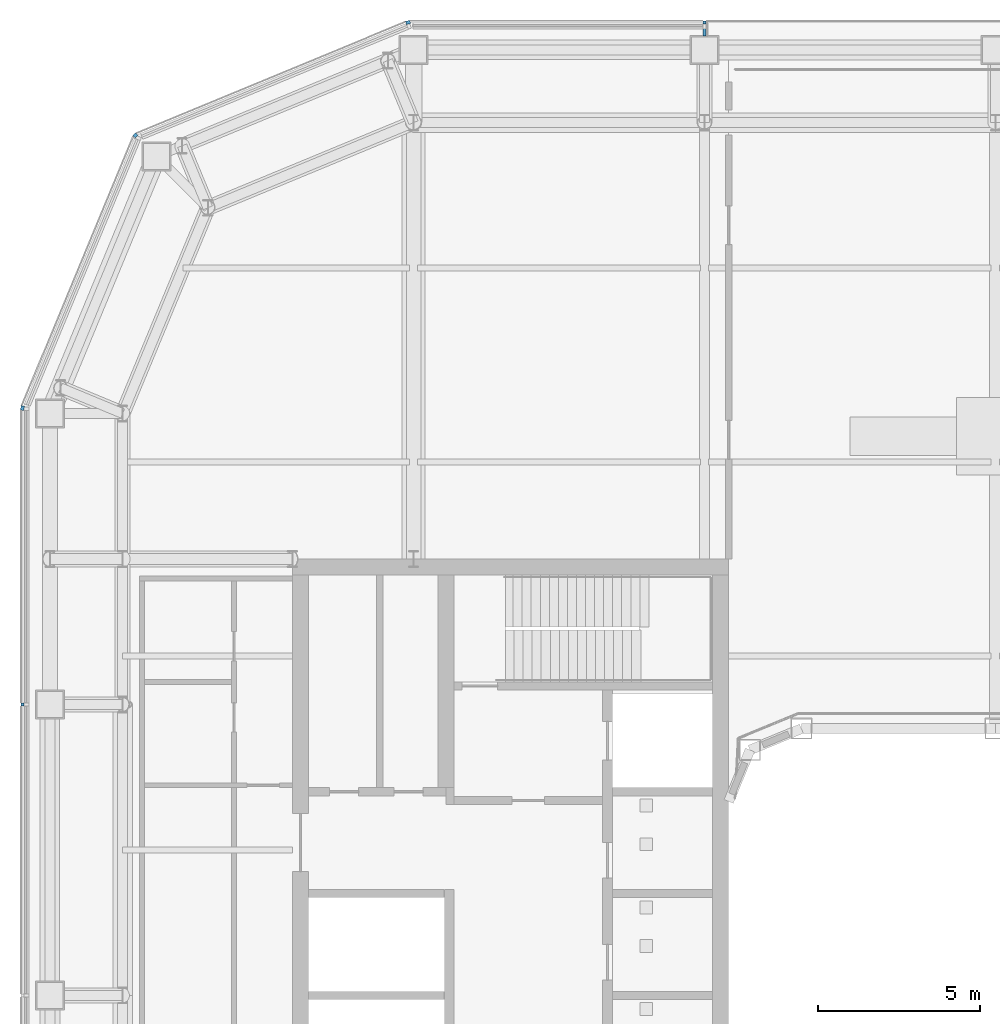
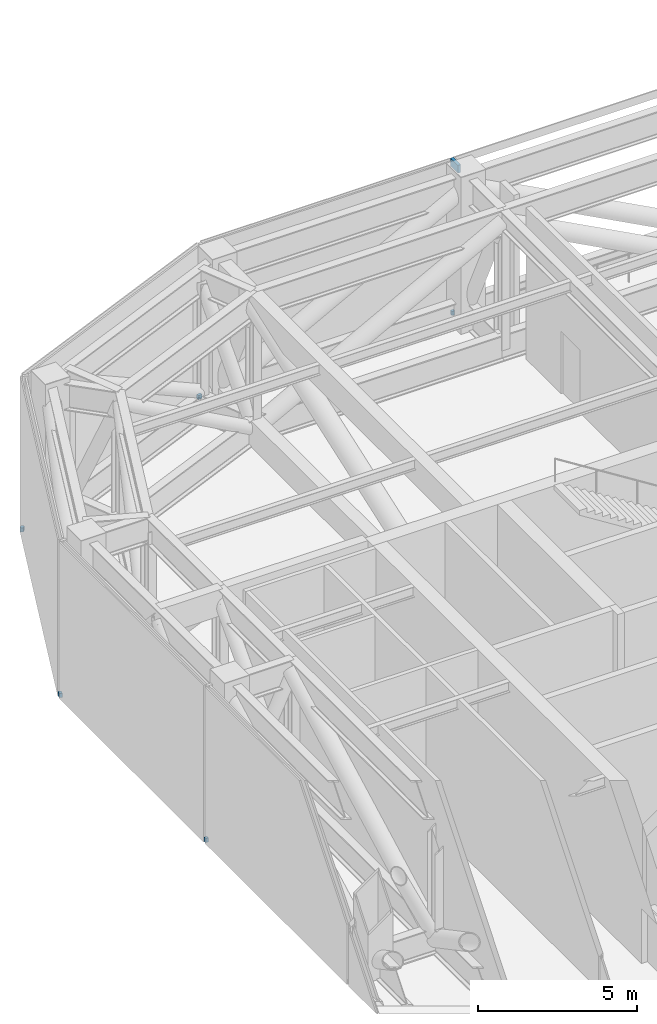
# One storey, part 17 of 22: 6 discrete accessories.
"""IFC4 building model written with IfcOpenShell, lengths in metres."""

from ifc_helpers import new_model, si_unit, direction, frame, origin, origin_2d, place, context, subcontext, project, spatial, rectangle, extrude, material, type_object, element, save


model = new_model("IFC4")

# Units and contexts
model_context = context("Model", 3, precision=1e-05, world=origin(), true_north=direction((0.0, 1.0)))
body_context = subcontext(model_context, "Body", "Model", "MODEL_VIEW")
ifc_project = project(units=[si_unit("LENGTHUNIT", "METRE"), si_unit("AREAUNIT", "SQUARE_METRE"), si_unit("VOLUMEUNIT", "CUBIC_METRE"), si_unit("PLANEANGLEUNIT", "RADIAN"), si_unit("MASSUNIT", "GRAM", prefix="KILO")], contexts=[model_context])

# Site, building, storey
site_placement = place(None, origin())
site = spatial("IfcSite", under=ifc_project, at=site_placement, CompositionType="ELEMENT")
building_placement = place(site_placement, origin())
building = spatial("IfcBuilding", under=site, at=building_placement, Name="Siwar Civic Tower", CompositionType="ELEMENT")
storey_placement = place(building_placement, frame((0.0, 0.0, 181.199951171875)))
storey = spatial("IfcBuildingStorey", under=building, at=storey_placement, Name="L39", CompositionType="ELEMENT", Elevation=181.199951171875)

# Discrete accessories
ifc_material = material(Name="Stainless steel 316", Category="steel")
discrete_accessory_type = type_object("IfcDiscreteAccessoryType", Name="ENV-BRACKET", PredefinedType="BRACKET", material=ifc_material)
discrete_accessory_1_placement = place(storey_placement, frame((-9.0, 30.10009765625, -0.1796875), z_axis=(0.0, 0.0, 1.0), x_axis=(0.0, 1.0, 0.0)))
element("IfcDiscreteAccessory", 1, at=discrete_accessory_1_placement, inside=storey, type_object=discrete_accessory_type, Name="Bracket outer skin joint N-03", PredefinedType="BRACKET", context=body_context, shape_type="SweptSolid", body=[
    extrude(rectangle(XDim=0.10009765625, YDim=0.10009765625, at=origin_2d()), origin(), (0.0, 0.0, 1.0), 0.159912109375),
])
discrete_accessory_2_placement = place(storey_placement, frame((-18.169189453125, 30.10009765625, -0.1796875), z_axis=(0.0, 0.0, 1.0), x_axis=(-0.195090322016, 0.980785280403, 0.0)))
element("IfcDiscreteAccessory", 2, at=discrete_accessory_2_placement, inside=storey, type_object=discrete_accessory_type, Name="Bracket outer skin joint V07", PredefinedType="BRACKET", context=body_context, shape_type="SweptSolid", body=[
    extrude(rectangle(XDim=0.10205078125, YDim=0.13720703125, at=origin_2d()), origin(), (0.0, 0.0, 1.0), 0.159912109375),
])
discrete_accessory_3_placement = place(storey_placement, frame((-26.60546875, 26.60546875, -0.1796875), z_axis=(0.0, 0.0, 1.0), x_axis=(-0.707106781187, 0.707106781187, 0.0)))
element("IfcDiscreteAccessory", 3, at=discrete_accessory_3_placement, inside=storey, type_object=discrete_accessory_type, Name="Bracket outer skin joint V08", PredefinedType="BRACKET", context=body_context, shape_type="SweptSolid", body=[
    extrude(rectangle(XDim=0.108154296875, YDim=0.12939453125, at=origin_2d()), origin(), (0.0, 0.0, 1.0), 0.159912109375),
])
discrete_accessory_4_placement = place(storey_placement, frame((-30.10009765625, 18.169189453125, -0.1796875), z_axis=(0.0, 0.0, 1.0), x_axis=(-0.980785280403, 0.195090322016, 0.0)))
element("IfcDiscreteAccessory", 4, at=discrete_accessory_4_placement, inside=storey, type_object=discrete_accessory_type, Name="Bracket outer skin joint V09", PredefinedType="BRACKET", context=body_context, shape_type="SweptSolid", body=[
    extrude(rectangle(XDim=0.10205078125, YDim=0.13720703125, at=origin_2d()), origin(), (0.0, 0.0, 1.0), 0.159912109375),
])
discrete_accessory_5_placement = place(storey_placement, frame((-30.10009765625, 9.0, -0.1796875), z_axis=(0.0, 0.0, 1.0), x_axis=(-1.0, 0.0, 0.0)))
element("IfcDiscreteAccessory", 5, at=discrete_accessory_5_placement, inside=storey, type_object=discrete_accessory_type, Name="Bracket outer skin joint W-01", PredefinedType="BRACKET", context=body_context, shape_type="SweptSolid", body=[
    extrude(rectangle(XDim=0.10009765625, YDim=0.10009765625, at=origin_2d()), origin(), (0.0, 0.0, 1.0), 0.159912109375),
])
discrete_accessory_6_placement = place(storey_placement, frame((-9.0, 29.9150390625, 5.5), z_axis=(0.0, 0.0, 1.0), x_axis=(0.0, 1.0, 0.0)))
element("IfcDiscreteAccessory", 6, at=discrete_accessory_6_placement, inside=storey, type_object=discrete_accessory_type, Name="Bracket portal frame N L39", PredefinedType="BRACKET", context=body_context, shape_type="SweptSolid", body=[
    extrude(rectangle(XDim=0.469970703125, YDim=0.10009765625, at=origin_2d()), origin(), (0.0, 0.0, 1.0), 0.300048828125),
])

save(model, "model.ifc")
